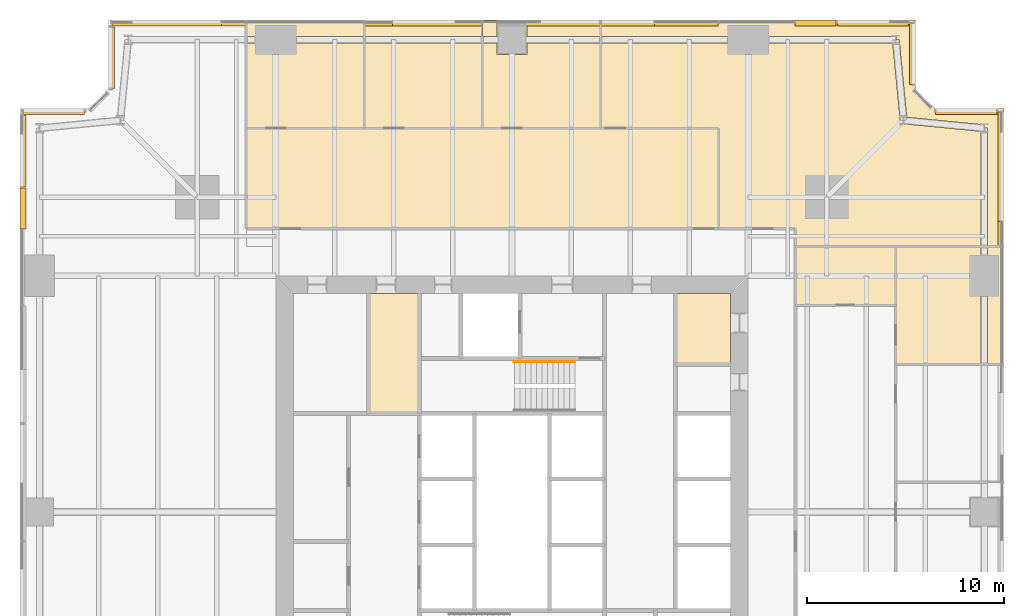
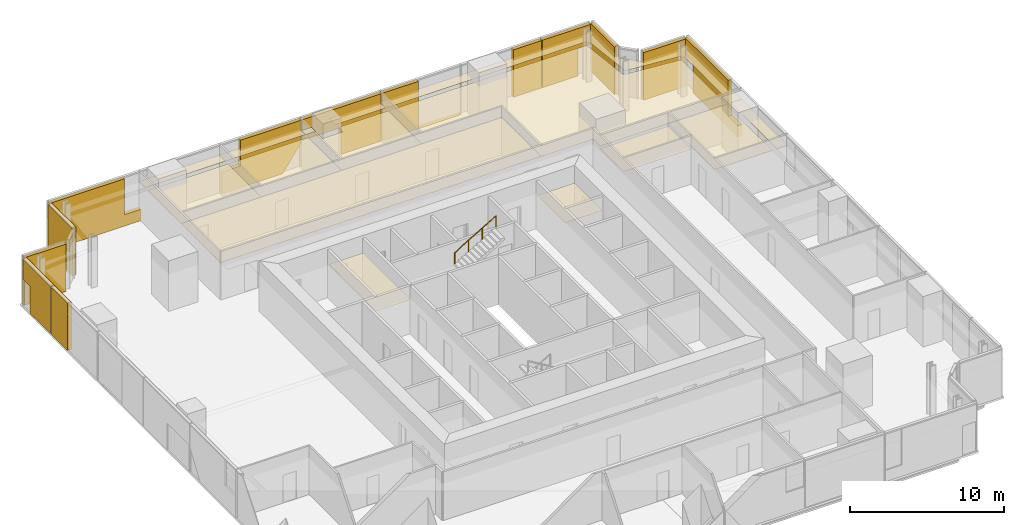
# One storey, part 13 of 13: 28 coverings, 1 railing.
"""IFC4 building model written with IfcOpenShell, lengths in metres."""

from ifc_helpers import new_model, si_unit, direction, frame, origin, origin_2d, place, context, subcontext, project, spatial, polyline, circle, outline, extrude, material, layer, layer_set, type_object, element, save


model = new_model("IFC4")

# Units and contexts
model_context = context("Model", 3, precision=1e-05, world=origin(), true_north=direction((0.0, 1.0)))
body_context = subcontext(model_context, "Body", "Model", "MODEL_VIEW")
ifc_project = project(units=[si_unit("LENGTHUNIT", "METRE"), si_unit("AREAUNIT", "SQUARE_METRE"), si_unit("VOLUMEUNIT", "CUBIC_METRE"), si_unit("PLANEANGLEUNIT", "RADIAN"), si_unit("MASSUNIT", "GRAM", prefix="KILO")], contexts=[model_context])

# Site, building, storey
site_placement = place(None, origin())
site = spatial("IfcSite", under=ifc_project, at=site_placement, CompositionType="ELEMENT")
building_placement = place(site_placement, origin())
building = spatial("IfcBuilding", under=site, at=building_placement, Name="Fenwick Lantern Interchange", CompositionType="ELEMENT")
storey_placement = place(building_placement, frame((0.0, 0.0, 106.39990234375)))
storey = spatial("IfcBuildingStorey", under=building, at=storey_placement, Name="L24", CompositionType="ELEMENT", Elevation=106.39990234375)

# Coverings
ifc_material_1 = material(Name="Mineral fibre acoustic tile on suspended grid")
ifc_layer_1 = layer(ifc_material_1, 0.02001953125)
ifc_layer_set_1 = layer_set([ifc_layer_1], Name="ACOUSTIC TILE CEILING 20")
covering_type_1 = type_object("IfcCoveringType", Name="ACOUSTIC TILE CEILING 20", PredefinedType="CEILING", material=ifc_layer_set_1)
covering_1_placement = place(storey_placement, frame((0.0, 0.0, 2.900146484375)))
element("IfcCovering", 1, at=covering_1_placement, inside=storey, type_object=covering_type_1, Name="Meeting room ceiling", PredefinedType="CEILING", context=body_context, shape_type="SweptSolid", body=[
    extrude(outline(polyline([(44.5, 32.5), (48.82763671875, 32.5), (48.82763671875, 37.0), (48.82763671875, 38.5), (44.5, 38.5), (44.5, 32.5)])), origin(), (0.0, 0.0, 1.0), 0.02001953125),
])
covering_2_placement = place(storey_placement, frame((0.0, 0.0, 2.900146484375)))
element("IfcCovering", 2, at=covering_2_placement, inside=storey, type_object=covering_type_1, Name="Meeting room ceiling", PredefinedType="CEILING", context=body_context, shape_type="SweptSolid", body=[
    extrude(outline(polyline([(50.0, 38.5), (49.17236328125, 38.5), (49.17236328125, 37.0), (49.17236328125, 32.5), (50.0, 32.5), (50.0, 38.5)])), origin(), (0.0, 0.0, 1.0), 0.02001953125),
])
covering_3_placement = place(storey_placement, frame((0.0, 0.0, 2.900146484375)))
element("IfcCovering", 3, at=covering_3_placement, inside=storey, type_object=covering_type_1, Name="Office suite ceiling", PredefinedType="CEILING", context=body_context, shape_type="SweptSolid", body=[
    extrude(outline(polyline([(35.5, 39.39990234375), (35.5, 44.5), (11.5, 44.5), (11.5, 39.39990234375), (35.5, 39.39990234375)])), origin(), (0.0, 0.0, 1.0), 0.02001953125),
])
covering_4_placement = place(storey_placement, frame((0.0, 0.0, 2.900146484375)))
element("IfcCovering", 4, at=covering_4_placement, inside=storey, type_object=covering_type_1, Name="Meeting room ceiling", PredefinedType="CEILING", context=body_context, shape_type="SweptSolid", body=[
    extrude(outline(polyline([(29.5, 48.82763671875), (29.5, 44.5), (35.5, 44.5), (35.5, 39.39990234375), (39.39990234375, 39.39990234375), (39.39990234375, 38.5), (48.82763671875, 38.5), (48.82763671875, 44.343505859375), (44.88330078125, 44.728515625), (44.89990234375, 44.89990234375), (44.728515625, 44.88330078125), (44.343505859375, 48.82763671875), (37.0, 48.82763671875), (29.5, 48.82763671875)])), origin(), (0.0, 0.0, 1.0), 0.02001953125),
])
covering_5_placement = place(storey_placement, frame((0.0, 0.0, 2.900146484375)))
element("IfcCovering", 5, at=covering_5_placement, inside=storey, type_object=covering_type_1, Name="Meeting room ceiling", PredefinedType="CEILING", context=body_context, shape_type="SweptSolid", body=[
    extrude(outline(polyline([(29.5, 50.0), (29.5, 49.17236328125), (37.0, 49.17236328125), (44.5, 49.17236328125), (44.5, 49.0), (44.671630859375, 49.016845703125), (45.057861328125, 45.057861328125), (49.016845703125, 44.671630859375), (49.0, 44.5), (49.17236328125, 44.5), (49.17236328125, 38.5), (50.0, 38.5), (50.0, 45.5), (46.5, 45.5), (45.5, 46.5), (45.5, 50.0), (29.5, 50.0)])), origin(), (0.0, 0.0, 1.0), 0.02001953125),
])
covering_6_placement = place(storey_placement, frame((0.0, 0.0, 2.900146484375)))
element("IfcCovering", 6, at=covering_6_placement, inside=storey, type_object=covering_type_1, Name="Meeting room ceiling", PredefinedType="CEILING", context=body_context, shape_type="SweptSolid", body=[
    extrude(outline(polyline([(29.5, 44.5), (29.5, 48.82763671875), (25.75, 48.82763671875), (25.75, 48.25), (24.25, 48.25), (24.25, 48.82763671875), (23.5, 48.82763671875), (23.5, 44.5), (29.5, 44.5)])), origin(), (0.0, 0.0, 1.0), 0.02001953125),
])
covering_7_placement = place(storey_placement, frame((0.0, 0.0, 2.900146484375)))
element("IfcCovering", 7, at=covering_7_placement, inside=storey, type_object=covering_type_1, Name="Meeting room ceiling", PredefinedType="CEILING", context=body_context, shape_type="SweptSolid", body=[
    extrude(outline(polyline([(29.5, 49.17236328125), (29.5, 50.0), (25.75, 50.0), (25.75, 49.17236328125), (29.5, 49.17236328125)])), origin(), (0.0, 0.0, 1.0), 0.02001953125),
])
covering_8_placement = place(storey_placement, frame((0.0, 0.0, 2.900146484375)))
element("IfcCovering", 8, at=covering_8_placement, inside=storey, type_object=covering_type_1, Name="Meeting room ceiling", PredefinedType="CEILING", context=body_context, shape_type="SweptSolid", body=[
    extrude(outline(polyline([(23.5, 50.0), (23.5, 49.17236328125), (24.25, 49.17236328125), (24.25, 50.0), (23.5, 50.0)])), origin(), (0.0, 0.0, 1.0), 0.02001953125),
])
covering_9_placement = place(storey_placement, frame((0.0, 0.0, 2.900146484375)))
element("IfcCovering", 9, at=covering_9_placement, inside=storey, type_object=covering_type_1, Name="Meeting room ceiling", PredefinedType="CEILING", context=body_context, shape_type="SweptSolid", body=[
    extrude(outline(polyline([(23.5, 44.5), (23.5, 48.82763671875), (17.5, 48.82763671875), (17.5, 44.5), (23.5, 44.5)])), origin(), (0.0, 0.0, 1.0), 0.02001953125),
])
covering_10_placement = place(storey_placement, frame((0.0, 0.0, 2.900146484375)))
element("IfcCovering", 10, at=covering_10_placement, inside=storey, type_object=covering_type_1, Name="Meeting room ceiling", PredefinedType="CEILING", context=body_context, shape_type="SweptSolid", body=[
    extrude(outline(polyline([(17.5, 50.0), (17.5, 49.17236328125), (23.5, 49.17236328125), (23.5, 50.0), (17.5, 50.0)])), origin(), (0.0, 0.0, 1.0), 0.02001953125),
])
covering_11_placement = place(storey_placement, frame((0.0, 0.0, 2.900146484375)))
element("IfcCovering", 11, at=covering_11_placement, inside=storey, type_object=covering_type_1, Name="Meeting room ceiling", PredefinedType="CEILING", context=body_context, shape_type="SweptSolid", body=[
    extrude(outline(polyline([(17.5, 44.5), (17.5, 48.82763671875), (13.0, 48.82763671875), (11.5, 48.82763671875), (11.5, 44.5), (17.5, 44.5)])), origin(), (0.0, 0.0, 1.0), 0.02001953125),
])
covering_12_placement = place(storey_placement, frame((0.0, 0.0, 2.900146484375)))
element("IfcCovering", 12, at=covering_12_placement, inside=storey, type_object=covering_type_1, Name="Meeting room ceiling", PredefinedType="CEILING", context=body_context, shape_type="SweptSolid", body=[
    extrude(outline(polyline([(11.5, 50.0), (11.5, 49.17236328125), (13.0, 49.17236328125), (17.5, 49.17236328125), (17.5, 50.0), (11.5, 50.0)])), origin(), (0.0, 0.0, 1.0), 0.02001953125),
])
ifc_material_2 = material(Name="Granite cladding, warm grey flamed finish, on aluminium carrier frame", Category="masonry")
ifc_layer_2 = layer(ifc_material_2, 0.300048828125)
ifc_layer_set_2 = layer_set([ifc_layer_2], Name="BRACE CASING PANEL 300")
covering_type_2 = type_object("IfcCoveringType", Name="BRACE CASING PANEL 300", PredefinedType="CLADDING", material=ifc_layer_set_2)
covering_13_placement = place(storey_placement, frame((49.89990234375, 4.60009765625, 0.0), z_axis=(0.0, 0.0, 1.0), x_axis=(0.0, 1.0, 0.0)))
element("IfcCovering", 13, at=covering_13_placement, inside=storey, type_object=covering_type_2, Name="Brace casing 05 bay 06a", PredefinedType="CLADDING", context=body_context, shape_type="SweptSolid", body=[
    extrude(outline(polyline([(33.9326171875, 0.0), (39.712890625, 0.0), (39.712890625, 2.390625), (40.735107421875, 2.390625), (40.735107421875, 3.75), (35.157470703125, 3.75), (35.157470703125, 0.9013671875), (33.9326171875, 0.9013671875), (33.9326171875, 0.0)])), frame((0.0, 0.2001953125, 0.0), z_axis=(0.0, -1.0, 0.0), x_axis=(1.0, 0.0, 0.0)), (0.0, 0.0, 1.0), 0.300048828125),
])
for number, where, z_axis, x_axis, name in (
    (14, (49.89990234375, 45.39990234375, 0.0), (0.0, 0.0, 1.0), (-1.0, 0.0, 0.0), "Brace casing 06 bay 00a"),
    (15, (45.39990234375, 46.45849609375, 0.0), (0.0, 0.0, 1.0), (0.0, 1.0, 0.0), "Brace casing 08 bay 00a"),
):
    element("IfcCovering", number, at=place(storey_placement, frame(where, z_axis=z_axis, x_axis=x_axis)), inside=storey, type_object=covering_type_2, Name=name, PredefinedType="CLADDING", context=body_context, shape_type="SweptSolid", body=[
        extrude(outline(polyline([(0.264892578125, 0.0), (3.37646484375, 0.0), (3.37646484375, 3.75), (0.264892578125, 3.75), (0.264892578125, 0.0)])), frame((0.0, 0.2001953125, 0.0), z_axis=(0.0, -1.0, 0.0), x_axis=(1.0, 0.0, 0.0)), (0.0, 0.0, 1.0), 0.300048828125),
    ])
covering_14_placement = place(storey_placement, frame((45.39990234375, 49.89990234375, 0.0), z_axis=(0.0, 0.0, 1.0), x_axis=(-1.0, 0.0, 0.0)))
element("IfcCovering", 16, at=covering_14_placement, inside=storey, type_object=covering_type_2, Name="Brace casing 09 bay 00a", PredefinedType="CLADDING", context=body_context, shape_type="SweptSolid", body=[
    extrude(outline(polyline([(1.18994140625, 0.0), (3.867431640625, 0.0), (3.867431640625, 3.75), (0.264892578125, 3.75), (0.264892578125, 2.150390625), (1.18994140625, 2.150390625), (1.18994140625, 0.0)])), frame((0.0, 0.2001953125, 0.0), z_axis=(0.0, -1.0, 0.0), x_axis=(1.0, 0.0, 0.0)), (0.0, 0.0, 1.0), 0.300048828125),
])
covering_15_placement = place(storey_placement, frame((45.39990234375, 49.89990234375, 0.0), z_axis=(0.0, 0.0, 1.0), x_axis=(-1.0, 0.0, 0.0)))
element("IfcCovering", 17, at=covering_15_placement, inside=storey, type_object=covering_type_2, Name="Brace casing 09 bay 01a", PredefinedType="CLADDING", context=body_context, shape_type="SweptSolid", body=[
    extrude(outline(polyline([(3.9326171875, 0.0), (6.031005859375, 0.0), (6.031005859375, 3.75), (3.9326171875, 3.75), (3.9326171875, 0.0)])), frame((0.0, 0.2001953125, 0.0), z_axis=(0.0, -1.0, 0.0), x_axis=(1.0, 0.0, 0.0)), (0.0, 0.0, 1.0), 0.300048828125),
])
covering_16_placement = place(storey_placement, frame((45.39990234375, 49.89990234375, 0.0), z_axis=(0.0, 0.0, 1.0), x_axis=(-1.0, 0.0, 0.0)))
element("IfcCovering", 18, at=covering_16_placement, inside=storey, type_object=covering_type_2, Name="Brace casing 09 bay 02a", PredefinedType="CLADDING", context=body_context, shape_type="SweptSolid", body=[
    extrude(outline(polyline([(9.9326171875, 0.0), (15.867431640625, 0.0), (15.867431640625, 3.75), (13.1474609375, 3.75), (13.1474609375, 0.004638671875), (9.9326171875, 0.004638671875), (9.9326171875, 0.0)])), frame((0.0, 0.2001953125, 0.0), z_axis=(0.0, -1.0, 0.0), x_axis=(1.0, 0.0, 0.0)), (0.0, 0.0, 1.0), 0.300048828125),
])
covering_17_placement = place(storey_placement, frame((45.39990234375, 49.89990234375, 0.0), z_axis=(0.0, 0.0, 1.0), x_axis=(-1.0, 0.0, 0.0)))
element("IfcCovering", 19, at=covering_17_placement, inside=storey, type_object=covering_type_2, Name="Brace casing 09 bay 03a", PredefinedType="CLADDING", context=body_context, shape_type="SweptSolid", body=[
    extrude(outline(polyline([(15.9326171875, 0.0), (18.955078125, 0.0), (18.955078125, 2.10595703125), (21.84521484375, 2.10595703125), (21.84521484375, 0.0), (21.867431640625, 0.0), (21.867431640625, 3.75), (15.9326171875, 3.75), (15.9326171875, 0.0)])), frame((0.0, 0.2001953125, 0.0), z_axis=(0.0, -1.0, 0.0), x_axis=(1.0, 0.0, 0.0)), (0.0, 0.0, 1.0), 0.300048828125),
])
covering_18_placement = place(storey_placement, frame((45.39990234375, 49.89990234375, 0.0), z_axis=(0.0, 0.0, 1.0), x_axis=(-1.0, 0.0, 0.0)))
element("IfcCovering", 20, at=covering_18_placement, inside=storey, type_object=covering_type_2, Name="Brace casing 09 bay 04a", PredefinedType="CLADDING", context=body_context, shape_type="SweptSolid", body=[
    extrude(outline(polyline([(23.289794921875, 0.0), (27.867431640625, 0.0), (27.867431640625, 1.72412109375), (26.472900390625, 1.72412109375), (26.472900390625, 3.75), (21.9326171875, 3.75), (21.9326171875, 1.978515625), (23.289794921875, 0.0)])), frame((0.0, 0.2001953125, 0.0), z_axis=(0.0, -1.0, 0.0), x_axis=(1.0, 0.0, 0.0)), (0.0, 0.0, 1.0), 0.300048828125),
])
covering_19_placement = place(storey_placement, frame((45.39990234375, 49.89990234375, 0.0), z_axis=(0.0, 0.0, 1.0), x_axis=(-1.0, 0.0, 0.0)))
element("IfcCovering", 21, at=covering_19_placement, inside=storey, type_object=covering_type_2, Name="Brace casing 09 bay 06a", PredefinedType="CLADDING", context=body_context, shape_type="SweptSolid", body=[
    extrude(outline(polyline([(33.9326171875, 0.0), (39.712890625, 0.0), (39.712890625, 2.390625), (40.735107421875, 2.390625), (40.735107421875, 3.75), (35.157470703125, 3.75), (35.157470703125, 0.9013671875), (33.9326171875, 0.9013671875), (33.9326171875, 0.0)])), frame((0.0, 0.2001953125, 0.0), z_axis=(0.0, -1.0, 0.0), x_axis=(1.0, 0.0, 0.0)), (0.0, 0.0, 1.0), 0.300048828125),
])
for number, where, z_axis, x_axis, name in (
    (22, (4.60009765625, 49.89990234375, 0.0), (0.0, 0.0, 1.0), (0.0, -1.0, 0.0), "Brace casing 10 bay 00a"),
    (23, (3.54150390625, 45.39990234375, 0.0), (0.0, 0.0, 1.0), (-1.0, 0.0, 0.0), "Brace casing 12 bay 00a"),
):
    element("IfcCovering", number, at=place(storey_placement, frame(where, z_axis=z_axis, x_axis=x_axis)), inside=storey, type_object=covering_type_2, Name=name, PredefinedType="CLADDING", context=body_context, shape_type="SweptSolid", body=[
        extrude(outline(polyline([(0.264892578125, 0.0), (3.37646484375, 0.0), (3.37646484375, 3.75), (0.264892578125, 3.75), (0.264892578125, 0.0)])), frame((0.0, 0.2001953125, 0.0), z_axis=(0.0, -1.0, 0.0), x_axis=(1.0, 0.0, 0.0)), (0.0, 0.0, 1.0), 0.300048828125),
    ])
covering_20_placement = place(storey_placement, frame((0.10009765625, 45.39990234375, 0.0), z_axis=(0.0, 0.0, 1.0), x_axis=(0.0, -1.0, 0.0)))
element("IfcCovering", 24, at=covering_20_placement, inside=storey, type_object=covering_type_2, Name="Brace casing 13 bay 00a", PredefinedType="CLADDING", context=body_context, shape_type="SweptSolid", body=[
    extrude(outline(polyline([(1.18994140625, 0.0), (3.867431640625, 0.0), (3.867431640625, 3.75), (0.264892578125, 3.75), (0.264892578125, 2.150390625), (1.18994140625, 2.150390625), (1.18994140625, 0.0)])), frame((0.0, 0.2001953125, 0.0), z_axis=(0.0, -1.0, 0.0), x_axis=(1.0, 0.0, 0.0)), (0.0, 0.0, 1.0), 0.300048828125),
])
covering_21_placement = place(storey_placement, frame((0.10009765625, 45.39990234375, 0.0), z_axis=(0.0, 0.0, 1.0), x_axis=(0.0, -1.0, 0.0)))
element("IfcCovering", 25, at=covering_21_placement, inside=storey, type_object=covering_type_2, Name="Brace casing 13 bay 01a", PredefinedType="CLADDING", context=body_context, shape_type="SweptSolid", body=[
    extrude(outline(polyline([(3.9326171875, 0.0), (6.031005859375, 0.0), (6.031005859375, 3.75), (3.9326171875, 3.75), (3.9326171875, 0.0)])), frame((0.0, 0.2001953125, 0.0), z_axis=(0.0, -1.0, 0.0), x_axis=(1.0, 0.0, 0.0)), (0.0, 0.0, 1.0), 0.300048828125),
])

# Railing
ifc_material_3 = material(Name="Stainless steel handrail", Category="steel")
railing_type = type_object("IfcRailingType", Name="HANDRAIL 900", PredefinedType="HANDRAIL", material=ifc_material_3)
railing_placement = place(storey_placement, frame((25.1201171875, 32.6259765625, 2.166748046875)))
element("IfcRailing", 26, at=railing_placement, inside=storey, type_object=railing_type, Name="L24/STAIR/ST2/HR2", PredefinedType="HANDRAIL", context=body_context, shape_type="SweptSolid", body=[
    extrude(circle(Radius=0.02392578125, at=origin_2d()), frame((0.0, 0.0, 0.8759765625), z_axis=(0.859290745958, 0.0, 0.51148745235), x_axis=(0.0, 1.0, 0.0)), (0.0, 0.0, 1.0), 3.584228515625),
    extrude(circle(Radius=0.02099609375, at=origin_2d()), origin(), (0.0, 0.0, 1.0), 0.851806640625),
    extrude(circle(Radius=0.02099609375, at=origin_2d()), frame((1.026611328125, 0.0, 0.611083984375)), (0.0, 0.0, 1.0), 0.851806640625),
    extrude(circle(Radius=0.02099609375, at=origin_2d()), frame((2.05322265625, 0.0, 1.22216796875)), (0.0, 0.0, 1.0), 0.851806640625),
    extrude(circle(Radius=0.02099609375, at=origin_2d()), frame((3.079833984375, 0.0, 1.833251953125)), (0.0, 0.0, 1.0), 0.851806640625),
])

# Coverings
ifc_material_4 = material(Name="Moisture resistant gypsum board on suspended frame, painted")
ifc_layer_3 = layer(ifc_material_4, 0.014892578125)
ifc_layer_set_3 = layer_set([ifc_layer_3], Name="MOISTURE RESISTANT CEILING 15")
covering_type_3 = type_object("IfcCoveringType", Name="MOISTURE RESISTANT CEILING 15", PredefinedType="CEILING", material=ifc_layer_set_3)
covering_22_placement = place(storey_placement, frame((0.0, 0.0, 2.60009765625)))
element("IfcCovering", 27, at=covering_22_placement, inside=storey, type_object=covering_type_3, Name="Men's WC ceiling", PredefinedType="CEILING", context=body_context, shape_type="SweptSolid", body=[
    extrude(outline(polyline([(20.300048828125, 36.10009765625), (17.699951171875, 36.10009765625), (17.699951171875, 30.0), (20.300048828125, 30.0), (20.300048828125, 36.10009765625)])), origin(), (0.0, 0.0, 1.0), 0.014892578125),
])
covering_23_placement = place(storey_placement, frame((0.0, 0.0, 2.60009765625)))
element("IfcCovering", 28, at=covering_23_placement, inside=storey, type_object=covering_type_3, Name="Accessible WC and shower ceiling", PredefinedType="CEILING", context=body_context, shape_type="SweptSolid", body=[
    extrude(outline(polyline([(36.10009765625, 36.10009765625), (33.300048828125, 36.10009765625), (33.300048828125, 32.5), (36.10009765625, 32.5), (36.10009765625, 36.10009765625)])), origin(), (0.0, 0.0, 1.0), 0.014892578125),
])
covering_24_placement = place(storey_placement, frame((0.0, 0.0, 2.7001953125)))
element("IfcCovering", 29, at=covering_24_placement, inside=storey, type_object=covering_type_3, Name="Pantry ceiling", PredefinedType="CEILING", context=body_context, shape_type="SweptSolid", body=[
    extrude(outline(polyline([(44.5, 35.5), (44.5, 38.5), (39.39990234375, 38.5), (39.39990234375, 35.5), (44.5, 35.5)])), origin(), (0.0, 0.0, 1.0), 0.014892578125),
])

save(model, "model.ifc")
